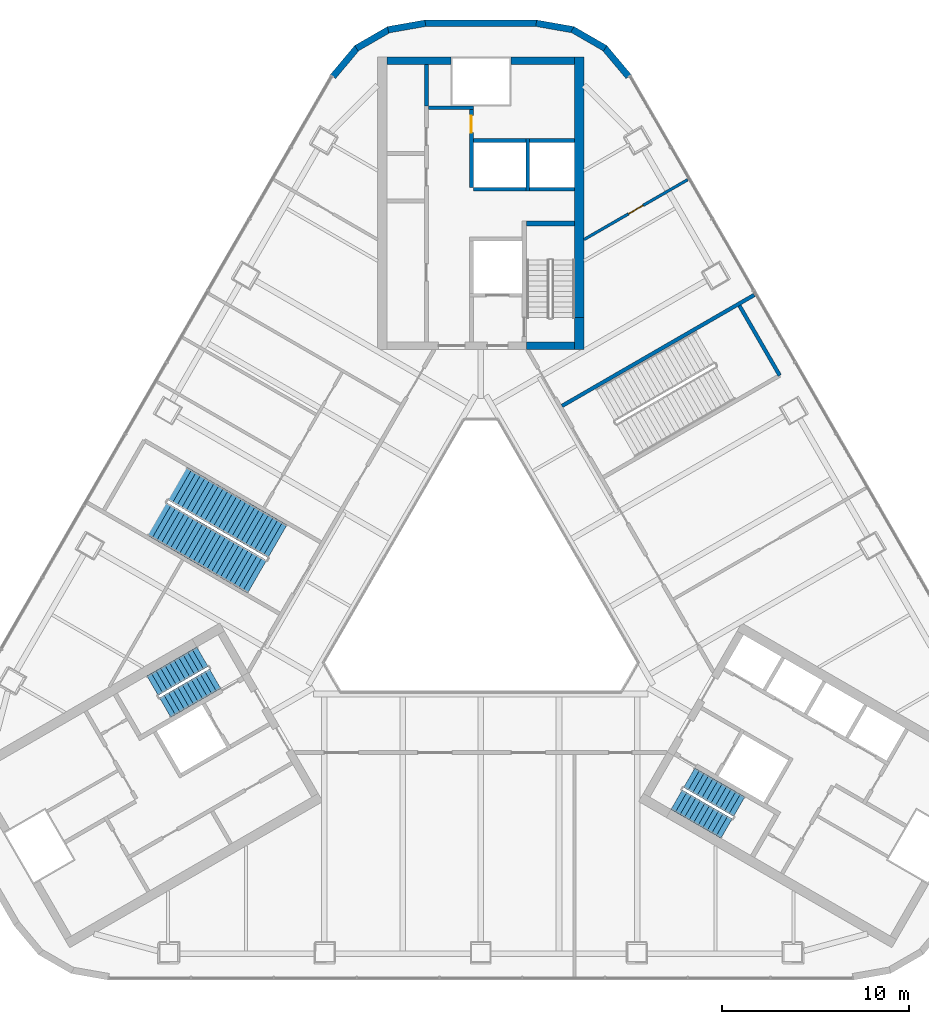
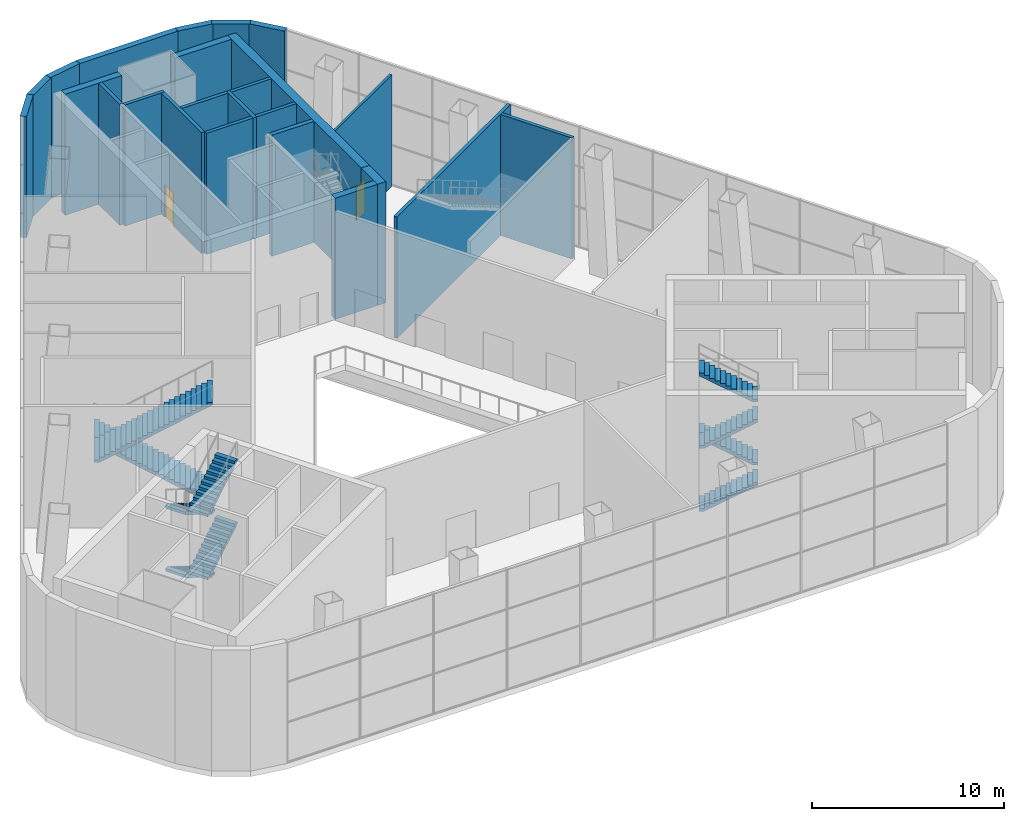
# One storey, part 12 of 16: 24 walls, 10 stair flights, 2 doors, 2 openings, 3 elements without a shape of their own.
"""IFC4 building model written with IfcOpenShell, lengths in metres."""

from ifc_helpers import new_model, si_unit, direction, frame, frame_2d, origin, place, context, subcontext, project, spatial, polyline, rectangle, outline, extrude, material, layer, layer_set, type_object, element, fill, aggregate, save


model = new_model("IFC4")

# Units and contexts
model_context = context("Model", 3, precision=1e-05, world=origin(), true_north=direction((0.0, 1.0)))
body_context = subcontext(model_context, "Body", "Model", "MODEL_VIEW")
ifc_project = project(units=[si_unit("LENGTHUNIT", "METRE"), si_unit("AREAUNIT", "SQUARE_METRE"), si_unit("VOLUMEUNIT", "CUBIC_METRE"), si_unit("PLANEANGLEUNIT", "RADIAN"), si_unit("MASSUNIT", "GRAM", prefix="KILO")], contexts=[model_context])

# Site, building, storey
site_placement = place(None, origin())
site = spatial("IfcSite", under=ifc_project, at=site_placement, CompositionType="ELEMENT")
building_placement = place(site_placement, origin())
building = spatial("IfcBuilding", under=site, at=building_placement, Name="Apuvela Tower Hotel", CompositionType="ELEMENT")
storey_placement = place(building_placement, frame((0.0, 0.0, 15.5)))
storey = spatial("IfcBuildingStorey", under=building, at=storey_placement, Name="L02", CompositionType="ELEMENT", Elevation=15.5)

# Walls
ifc_material_1 = material(Name="Concrete C50/60", Category="concrete")
ifc_layer_1 = layer(ifc_material_1, 0.39990234375)
ifc_layer_set_1 = layer_set([ifc_layer_1], Name="COR-WALL-CORE-400")
wall_type_1 = type_object("IfcWallType", Name="COR-WALL-CORE-400", PredefinedType="SHEAR", material=ifc_layer_set_1)
for number, where, z_axis, x_axis, name in (
    (1, (-1.60009765625, 28.300048828125, 0.0), (0.0, 0.0, 1.0), (-1.0, 0.0, 0.0), "Core wall N"),
    (2, (5.0, 28.300048828125, 0.0), (0.0, 0.0, 1.0), (-1.0, 0.0, 0.0), "Core wall N"),
):
    element("IfcWall", number, at=place(storey_placement, frame(where, z_axis=z_axis, x_axis=x_axis)), inside=storey, type_object=wall_type_1, Name=name, PredefinedType="SHEAR", context=body_context, shape_type="SweptSolid", body=[
        extrude(rectangle(XDim=3.39990234375, YDim=0.39990234375, at=frame_2d((1.699951171875, 0.0))), origin(), (0.0, 0.0, 1.0), 7.699951171875),
    ])
wall_1_placement = place(storey_placement, frame((5.0, 13.10009765625, 0.0), z_axis=(0.0, 0.0, 1.0), x_axis=(-1.0, 0.0, 0.0)))
element("IfcWall", 3, at=wall_1_placement, inside=storey, type_object=wall_type_1, Name="Core wall N", PredefinedType="SHEAR", context=body_context, shape_type="SweptSolid", body=[
    extrude(rectangle(XDim=2.550048828125, YDim=0.39990234375, at=frame_2d((1.27490234375, 0.0))), origin(), (0.0, 0.0, 1.0), 7.699951171875),
])
ifc_layer_2 = layer(ifc_material_1, 0.5)
ifc_layer_set_2 = layer_set([ifc_layer_2], Name="COR-WALL-CORE-500")
wall_type_2 = type_object("IfcWallType", Name="COR-WALL-CORE-500", PredefinedType="SHEAR", material=ifc_layer_set_2)
wall_2_placement = place(storey_placement, frame((5.25, 12.89990234375, 0.0), z_axis=(0.0, 0.0, 1.0), x_axis=(0.0, 1.0, 0.0)))
element("IfcWall", 4, at=wall_2_placement, inside=storey, type_object=wall_type_2, Name="Core wall N", PredefinedType="SHEAR", context=body_context, shape_type="SweptSolid", body=[
    extrude(rectangle(XDim=1.7060546875, YDim=0.5, at=frame_2d((0.85302734375, 0.0))), origin(), (0.0, 0.0, 1.0), 7.699951171875),
])
wall_3_placement = place(storey_placement, frame((5.25, 14.60595703125, 0.0), z_axis=(0.0, 0.0, 1.0), x_axis=(0.0, 1.0, 0.0)))
element("IfcWall", 5, at=wall_3_placement, inside=storey, type_object=wall_type_2, Name="Core wall N", PredefinedType="SHEAR", context=body_context, shape_type="SweptSolid", body=[
    extrude(rectangle(XDim=13.89404296875, YDim=0.5, at=frame_2d((6.947021484375, 0.0))), origin(), (0.0, 0.0, 1.0), 7.699951171875),
])
ifc_material_2 = material(Name="Blockwork 200 mm plastered", Category="masonry")
ifc_layer_3 = layer(ifc_material_2, 0.199951171875)
ifc_layer_set_3 = layer_set([ifc_layer_3], Name="COR-WALL-PART-200")
wall_type_3 = type_object("IfcWallType", Name="COR-WALL-PART-200", PredefinedType="PARTITIONING", material=ifc_layer_set_3)
wall_4_placement = place(storey_placement, frame((5.0, 21.449951171875, 0.0), z_axis=(0.0, 0.0, 1.0), x_axis=(-1.0, 0.0, 0.0)))
element("IfcWall", 6, at=wall_4_placement, inside=storey, type_object=wall_type_3, Name="Partition N", PredefinedType="PARTITIONING", context=body_context, shape_type="SweptSolid", body=[
    extrude(rectangle(XDim=2.39990234375, YDim=0.199951171875, at=frame_2d((1.199951171875, 0.0))), origin(), (0.0, 0.0, 1.0), 7.699951171875),
])
wall_5_placement = place(storey_placement, frame((2.39990234375, 21.449951171875, 0.0), z_axis=(0.0, 0.0, 1.0), x_axis=(-1.0, 0.0, 0.0)))
element("IfcWall", 7, at=wall_5_placement, inside=storey, type_object=wall_type_3, Name="Partition N", PredefinedType="PARTITIONING", context=body_context, shape_type="SweptSolid", body=[
    extrude(rectangle(XDim=2.7998046875, YDim=0.199951171875, at=frame_2d((1.39990234375, 0.0))), origin(), (0.0, 0.0, 1.0), 7.699951171875),
])
ifc_layer_4 = layer(ifc_material_1, 0.199951171875)
ifc_layer_set_4 = layer_set([ifc_layer_4], Name="COR-WALL-SHAFT-200")
wall_type_4 = type_object("IfcWallType", Name="COR-WALL-SHAFT-200", PredefinedType="SHEAR", material=ifc_layer_set_4)
wall_6_placement = place(storey_placement, frame((-0.39990234375, 25.800048828125, 0.0), z_axis=(0.0, 0.0, 1.0), x_axis=(-1.0, 0.0, 0.0)))
element("IfcWall", 8, at=wall_6_placement, inside=storey, type_object=wall_type_4, Name="Shaft wall N", PredefinedType="SHEAR", context=body_context, shape_type="SweptSolid", body=[
    extrude(rectangle(XDim=2.400146484375, YDim=0.199951171875, at=frame_2d((1.2001953125, 0.0))), origin(), (0.0, 0.0, 1.0), 7.699951171875),
])

# Wall, opening, door
wall_7_placement = place(storey_placement, frame((-0.5, 21.550048828125, 0.0), z_axis=(0.0, 0.0, 1.0), x_axis=(0.0, 1.0, 0.0)))
wall_7 = element("IfcWall", 9, at=wall_7_placement, inside=storey, type_object=wall_type_4, Name="Shaft wall N", PredefinedType="SHEAR", context=body_context, shape_type="SweptSolid", body=[
    extrude(rectangle(XDim=4.14990234375, YDim=0.199951171875, at=frame_2d((2.074951171875, 0.0))), origin(), (0.0, 0.0, 1.0), 7.699951171875),
])
opening_1_placement = place(wall_7_placement, frame((2.925048828125, 0.0, 0.0)))
opening_1 = element("IfcOpeningElement", 10, at=opening_1_placement, cuts=wall_7, Name="Opening N-RSP", PredefinedType="OPENING", context=body_context, shape_type="SweptSolid", body=[
    extrude(rectangle(XDim=0.89990234375, YDim=2.10009765625, at=frame_2d((0.449951171875, 1.050048828125))), frame((0.0, 0.10986328125, 0.0), z_axis=(0.0, -1.0, 0.0), x_axis=(1.0, 0.0, 0.0)), (0.0, 0.0, 1.0), 0.219970703125),
])
ifc_material_3 = material(Name="Steel fire door, powder coated", Category="steel")
door_type_1 = type_object("IfcDoorType", Name="COR-DR-900", OperationType="NOTDEFINED", PredefinedType="DOOR", material=ifc_material_3)
door_1_placement = place(opening_1_placement, frame((0.89990234375, 0.0, 0.0), z_axis=(0.0, 0.0, 1.0), x_axis=(-1.0, 0.0, 0.0)))
door_1 = element("IfcDoor", 11, at=door_1_placement, inside=storey, type_object=door_type_1, Name="Store door N-RSP", OperationType="SINGLE_SWING_LEFT", OverallHeight=2.10009765625, OverallWidth=0.89990234375, PredefinedType="DOOR", context=body_context, shape_type="SweptSolid", body=[
    extrude(rectangle(XDim=0.89990234375, YDim=2.10009765625, at=frame_2d((0.449951171875, 1.050048828125))), frame((0.0, 0.02490234375, 0.0), z_axis=(0.0, -1.0, 0.0), x_axis=(1.0, 0.0, 0.0)), (0.0, 0.0, 1.0), 0.050048828125),
])
fill(opening_1, door_1)

# Walls
wall_8_placement = place(storey_placement, frame((-2.89990234375, 25.89990234375, 0.0), z_axis=(0.0, 0.0, 1.0), x_axis=(0.0, 1.0, 0.0)))
element("IfcWall", 12, at=wall_8_placement, inside=storey, type_object=wall_type_4, Name="Shaft wall N", PredefinedType="SHEAR", context=body_context, shape_type="SweptSolid", body=[
    extrude(rectangle(XDim=2.2001953125, YDim=0.199951171875, at=frame_2d((1.10009765625, 0.0))), origin(), (0.0, 0.0, 1.0), 7.699951171875),
])
wall_9_placement = place(storey_placement, frame((2.5, 21.35009765625, 0.0), z_axis=(0.0, 0.0, 1.0), x_axis=(0.0, 1.0, 0.0)))
element("IfcWall", 13, at=wall_9_placement, inside=storey, type_object=wall_type_4, Name="Shaft wall N", PredefinedType="SHEAR", context=body_context, shape_type="SweptSolid", body=[
    extrude(rectangle(XDim=2.7998046875, YDim=0.199951171875, at=frame_2d((1.39990234375, 0.0))), origin(), (0.0, 0.0, 1.0), 7.699951171875),
])
wall_10_placement = place(storey_placement, frame((5.0, 24.050048828125, 0.0), z_axis=(0.0, 0.0, 1.0), x_axis=(-1.0, 0.0, 0.0)))
element("IfcWall", 14, at=wall_10_placement, inside=storey, type_object=wall_type_4, Name="Shaft wall N", PredefinedType="SHEAR", context=body_context, shape_type="SweptSolid", body=[
    extrude(rectangle(XDim=2.39990234375, YDim=0.199951171875, at=frame_2d((1.199951171875, 0.0))), origin(), (0.0, 0.0, 1.0), 7.699951171875),
])
wall_11_placement = place(storey_placement, frame((2.39990234375, 24.050048828125, 0.0), z_axis=(0.0, 0.0, 1.0), x_axis=(-1.0, 0.0, 0.0)))
element("IfcWall", 15, at=wall_11_placement, inside=storey, type_object=wall_type_4, Name="Shaft wall N", PredefinedType="SHEAR", context=body_context, shape_type="SweptSolid", body=[
    extrude(rectangle(XDim=2.7998046875, YDim=0.199951171875, at=frame_2d((1.39990234375, 0.0))), origin(), (0.0, 0.0, 1.0), 7.699951171875),
])
ifc_layer_5 = layer(ifc_material_1, 0.25)
ifc_layer_set_5 = layer_set([ifc_layer_5], Name="COR-WALL-STAIR-250")
wall_type_5 = type_object("IfcWallType", Name="COR-WALL-STAIR-250", PredefinedType="SHEAR", material=ifc_layer_set_5)
wall_12_placement = place(storey_placement, frame((5.0, 19.625, 0.0), z_axis=(0.0, 0.0, 1.0), x_axis=(-1.0, 0.0, 0.0)))
element("IfcWall", 16, at=wall_12_placement, inside=storey, type_object=wall_type_5, Name="Stair wall N", PredefinedType="SHEAR", context=body_context, shape_type="SweptSolid", body=[
    extrude(rectangle(XDim=2.550048828125, YDim=0.25, at=frame_2d((1.27490234375, 0.0))), origin(), (0.0, 0.0, 1.0), 7.699951171875),
])
ifc_material_4 = material(Name="Concrete C40/50, dark pigmented precast panel", Category="concrete")
ifc_layer_6 = layer(ifc_material_4, 0.35009765625)
ifc_layer_set_6 = layer_set([ifc_layer_6], Name="ENV-WALL-350")
wall_type_6 = type_object("IfcWallType", Name="ENV-WALL-350", PredefinedType="SOLIDWALL", material=ifc_layer_set_6)
wall_13_placement = place(storey_placement, frame((6.6337890625, 28.96875, 0.0), z_axis=(0.0, 0.0, 1.0), x_axis=(-0.866022320763, 0.500005339912, 0.0)))
element("IfcWall", 17, at=wall_13_placement, inside=storey, type_object=wall_type_6, Name="External wall L02-01", PredefinedType="SOLIDWALL", context=body_context, shape_type="SweptSolid", body=[
    extrude(rectangle(XDim=2.01708984375, YDim=0.35009765625, at=frame_2d((1.008544921875, 0.0))), origin(), (0.0, 0.0, 1.0), 7.699951171875),
])
wall_14_placement = place(storey_placement, frame((4.944091796875, 29.95654296875, 0.0), z_axis=(0.0, 0.0, 1.0), x_axis=(-0.98480304703, 0.173674864506, 0.0)))
element("IfcWall", 18, at=wall_14_placement, inside=storey, type_object=wall_type_6, Name="External wall L02-02", PredefinedType="SOLIDWALL", context=body_context, shape_type="SweptSolid", body=[
    extrude(rectangle(XDim=2.017333984375, YDim=0.35009765625, at=frame_2d((1.0087890625, 0.0))), origin(), (0.0, 0.0, 1.0), 7.699951171875),
])
wall_15_placement = place(storey_placement, frame((2.98779296875, 30.30419921875, 0.0), z_axis=(0.0, 0.0, 1.0), x_axis=(-1.0, 0.0, 0.0)))
element("IfcWall", 19, at=wall_15_placement, inside=storey, type_object=wall_type_6, Name="External wall L02-03", PredefinedType="SOLIDWALL", context=body_context, shape_type="SweptSolid", body=[
    extrude(rectangle(XDim=5.9755859375, YDim=0.35009765625, at=frame_2d((2.98779296875, 0.0))), origin(), (0.0, 0.0, 1.0), 7.699951171875),
])
wall_16_placement = place(storey_placement, frame((-2.95751953125, 30.306884765625, 0.0), z_axis=(0.0, 0.0, 1.0), x_axis=(-0.98480304703, -0.173674864506, 0.0)))
element("IfcWall", 20, at=wall_16_placement, inside=storey, type_object=wall_type_6, Name="External wall L02-04", PredefinedType="SOLIDWALL", context=body_context, shape_type="SweptSolid", body=[
    extrude(rectangle(XDim=2.017333984375, YDim=0.35009765625, at=frame_2d((1.0087890625, 0.0))), origin(), (0.0, 0.0, 1.0), 7.699951171875),
])
wall_17_placement = place(storey_placement, frame((-4.886962890625, 29.977294921875, 0.0), z_axis=(0.0, 0.0, 1.0), x_axis=(-0.866022320763, -0.500005339912, 0.0)))
element("IfcWall", 21, at=wall_17_placement, inside=storey, type_object=wall_type_6, Name="External wall L02-05", PredefinedType="SOLIDWALL", context=body_context, shape_type="SweptSolid", body=[
    extrude(rectangle(XDim=2.01708984375, YDim=0.35009765625, at=frame_2d((1.008544921875, 0.0))), origin(), (0.0, 0.0, 1.0), 7.699951171875),
])
for number, where, z_axis, x_axis, name in (
    (22, (-6.58740234375, 29.0078125, 0.0), (0.0, 0.0, 1.0), (-0.642752052196, -0.76607427799, 0.0), "External wall L02-06"),
    (23, (7.884033203125, 27.46240234375, 0.0), (0.0, 0.0, 1.0), (-0.642752052196, 0.76607427799, 0.0), "External wall L02-24"),
):
    element("IfcWall", number, at=place(storey_placement, frame(where, z_axis=z_axis, x_axis=x_axis)), inside=storey, type_object=wall_type_6, Name=name, PredefinedType="SOLIDWALL", context=body_context, shape_type="SweptSolid", body=[
        extrude(rectangle(XDim=2.017333984375, YDim=0.35009765625, at=frame_2d((1.0087890625, 0.0))), origin(), (0.0, 0.0, 1.0), 7.699951171875),
    ])

# Wall, opening, door
ifc_material_5 = material(Name="Gypsum board partition on steel stud", Category="steel")
ifc_layer_7 = layer(ifc_material_5, 0.14990234375)
ifc_layer_set_7 = layer_set([ifc_layer_7], Name="SPC-WALL-PARTITION")
wall_type_7 = type_object("IfcWallType", Name="SPC-WALL-PARTITION", PredefinedType="PARTITIONING", material=ifc_layer_set_7)
wall_18_placement = place(storey_placement, frame((11.03076171875, 21.95703125, 0.0), z_axis=(0.0, 0.0, 1.0), x_axis=(-0.866030253878, -0.499991599297, 0.0)))
wall_18 = element("IfcWall", 24, at=wall_18_placement, inside=storey, type_object=wall_type_7, Name="Wall L02-NE-P05", PredefinedType="PARTITIONING", context=body_context, shape_type="SweptSolid", body=[
    extrude(rectangle(XDim=6.38623046875, YDim=0.14990234375, at=frame_2d((3.193115234375, 0.0))), origin(), (0.0, 0.0, 1.0), 7.10009765625),
])
opening_2_placement = place(wall_18_placement, frame((2.7431640625, 0.0, 0.0)))
opening_2 = element("IfcOpeningElement", 25, at=opening_2_placement, cuts=wall_18, Name="Opening L02-S06", PredefinedType="OPENING", context=body_context, shape_type="SweptSolid", body=[
    extrude(rectangle(XDim=0.89990234375, YDim=2.10009765625, at=frame_2d((0.449951171875, 1.050048828125))), frame((0.0, 0.0849609375, 0.0), z_axis=(0.0, -1.0, 0.0), x_axis=(1.0, 0.0, 0.0)), (0.0, 0.0, 1.0), 0.169921875),
])
ifc_material_6 = material(Name="Hardwood veneer door leaf", Category="wood")
door_type_2 = type_object("IfcDoorType", Name="SPC-DOOR-900", OperationType="NOTDEFINED", PredefinedType="DOOR", material=ifc_material_6)
door_2_placement = place(opening_2_placement, frame((0.89990234375, 0.0, 0.0), z_axis=(0.0, 0.0, 1.0), x_axis=(-1.0, 0.0, 0.0)))
door_2 = element("IfcDoor", 26, at=door_2_placement, inside=storey, type_object=door_type_2, Name="L02-S06", OperationType="SINGLE_SWING_RIGHT", OverallHeight=2.10009765625, OverallWidth=0.89990234375, PredefinedType="DOOR", context=body_context, shape_type="SweptSolid", body=[
    extrude(rectangle(XDim=0.89990234375, YDim=2.10009765625, at=frame_2d((0.449951171875, 1.050048828125))), frame((0.0, 0.02490234375, 0.0), z_axis=(0.0, -1.0, 0.0), x_axis=(1.0, 0.0, 0.0)), (0.0, 0.0, 1.0), 0.050048828125),
])
fill(opening_2, door_2)

# Walls
ifc_material_7 = material(Name="Concrete C40/50", Category="concrete")
ifc_layer_8 = layer(ifc_material_7, 0.199951171875)
ifc_layer_set_8 = layer_set([ifc_layer_8], Name="SPC-WALL-STAIR")
wall_type_8 = type_object("IfcWallType", Name="SPC-WALL-STAIR", PredefinedType="SOLIDWALL", material=ifc_layer_set_8)
wall_19_placement = place(storey_placement, frame((15.947998046875, 11.51708984375, 0.0), z_axis=(0.0, 0.0, 1.0), x_axis=(-0.499986217557, 0.866033360935, 0.0)))
element("IfcWall", 27, at=wall_19_placement, inside=storey, type_object=wall_type_8, Name="Wall L02-NE-P01", PredefinedType="SOLIDWALL", context=body_context, shape_type="SweptSolid", body=[
    extrude(rectangle(XDim=4.2998046875, YDim=0.199951171875, at=frame_2d((2.14990234375, 0.0))), origin(), (0.0, 0.0, 1.0), 7.699951171875),
])
wall_20_placement = place(storey_placement, frame((14.580810546875, 15.80810546875, 0.0), z_axis=(0.0, 0.0, 1.0), x_axis=(-0.866032672044, -0.499987410794, 0.0)))
element("IfcWall", 28, at=wall_20_placement, inside=storey, type_object=wall_type_8, Name="Wall L02-NE-P04", PredefinedType="SOLIDWALL", context=body_context, shape_type="SweptSolid", body=[
    extrude(rectangle(XDim=11.831298828125, YDim=0.199951171875, at=frame_2d((5.91552734375, 0.0))), origin(), (0.0, 0.0, 1.0), 7.699951171875),
])

# Stair, stair flights
stair_type_1 = type_object("IfcStairType", Name="COR-STAIR-48R", PredefinedType="HALF_TURN_STAIR", material=ifc_material_1)
stair_1_placement = place(storey_placement, origin())
stair_1 = element("IfcStair", 29, at=stair_1_placement, inside=storey, type_object=stair_type_1, Name="L02 Exit stair ST2", PredefinedType="HALF_TURN_STAIR")
stair_flight_type_1 = type_object("IfcStairFlightType", Name="COR-FLIGHT-12R", PredefinedType="STRAIGHT", material=ifc_material_1)
stair_flight_1_placement = place(storey_placement, frame((-14.843994140625, -3.489501953125, 0.0), z_axis=(0.0, 0.0, 1.0), x_axis=(-0.866025403784, -0.5, 0.0)))
stair_flight_1 = element("IfcStairFlight", 30, at=stair_flight_1_placement, type_object=stair_flight_type_1, Name="ST2 flight 1", NumberOfRisers=12, NumberOfTreads=11, PredefinedType="STRAIGHT", RiserHeight=0.166666667, TreadLength=0.28, context=body_context, shape_type="SweptSolid", body=[
    extrude(outline(polyline([(0.0, 0.0), (0.0, 0.166748046875), (0.280029296875, 0.166748046875), (0.280029296875, 0.333251953125), (0.56005859375, 0.333251953125), (0.56005859375, 0.5), (0.840087890625, 0.5), (0.840087890625, 0.666748046875), (1.1201171875, 0.666748046875), (1.1201171875, 0.833251953125), (1.39990234375, 0.833251953125), (1.39990234375, 1.0), (1.679931640625, 1.0), (1.679931640625, 1.166748046875), (1.9599609375, 1.166748046875), (1.9599609375, 1.333251953125), (2.239990234375, 1.333251953125), (2.239990234375, 1.5), (2.52001953125, 1.5), (2.52001953125, 1.666748046875), (2.800048828125, 1.666748046875), (2.800048828125, 1.833251953125), (3.080078125, 1.833251953125), (3.080078125, 2.0), (3.080078125, 1.658935546875), (0.29296875, 0.0), (0.0, 0.0)])), frame((0.0, 0.60009765625, 0.0), z_axis=(0.0, -1.0, 0.0), x_axis=(1.0, 0.0, 0.0)), (0.0, 0.0, 1.0), 1.199951171875),
])
stair_flight_2_placement = place(storey_placement, frame((-16.83642578125, -6.19873046875, 2.0), z_axis=(0.0, 0.0, 1.0), x_axis=(0.866025403784, 0.5, 0.0)))
stair_flight_2 = element("IfcStairFlight", 31, at=stair_flight_2_placement, type_object=stair_flight_type_1, Name="ST2 flight 2", NumberOfRisers=12, NumberOfTreads=11, PredefinedType="STRAIGHT", RiserHeight=0.166666667, TreadLength=0.28, context=body_context, shape_type="SweptSolid", body=[
    extrude(outline(polyline([(0.0, 0.0), (0.0, 0.166748046875), (0.280029296875, 0.166748046875), (0.280029296875, 0.333251953125), (0.56005859375, 0.333251953125), (0.56005859375, 0.5), (0.840087890625, 0.5), (0.840087890625, 0.666748046875), (1.1201171875, 0.666748046875), (1.1201171875, 0.833251953125), (1.39990234375, 0.833251953125), (1.39990234375, 1.0), (1.679931640625, 1.0), (1.679931640625, 1.166748046875), (1.9599609375, 1.166748046875), (1.9599609375, 1.333251953125), (2.239990234375, 1.333251953125), (2.239990234375, 1.5), (2.52001953125, 1.5), (2.52001953125, 1.666748046875), (2.800048828125, 1.666748046875), (2.800048828125, 1.833251953125), (3.080078125, 1.833251953125), (3.080078125, 2.0), (3.080078125, 1.658935546875), (0.29296875, 0.0), (0.0, 0.0)])), frame((0.0, 0.60009765625, 0.0), z_axis=(0.0, -1.0, 0.0), x_axis=(1.0, 0.0, 0.0)), (0.0, 0.0, 1.0), 1.199951171875),
])
stair_flight_3_placement = place(storey_placement, frame((-14.843994140625, -3.489501953125, 4.0), z_axis=(0.0, 0.0, 1.0), x_axis=(-0.866025403784, -0.5, 0.0)))
stair_flight_3 = element("IfcStairFlight", 32, at=stair_flight_3_placement, type_object=stair_flight_type_1, Name="ST2 flight 3", NumberOfRisers=12, NumberOfTreads=11, PredefinedType="STRAIGHT", RiserHeight=0.166666667, TreadLength=0.28, context=body_context, shape_type="SweptSolid", body=[
    extrude(outline(polyline([(0.0, 0.0), (0.0, 0.166748046875), (0.280029296875, 0.166748046875), (0.280029296875, 0.333251953125), (0.56005859375, 0.333251953125), (0.56005859375, 0.5), (0.840087890625, 0.5), (0.840087890625, 0.666748046875), (1.1201171875, 0.666748046875), (1.1201171875, 0.833251953125), (1.39990234375, 0.833251953125), (1.39990234375, 1.0), (1.679931640625, 1.0), (1.679931640625, 1.166748046875), (1.9599609375, 1.166748046875), (1.9599609375, 1.333251953125), (2.239990234375, 1.333251953125), (2.239990234375, 1.5), (2.52001953125, 1.5), (2.52001953125, 1.666748046875), (2.800048828125, 1.666748046875), (2.800048828125, 1.833251953125), (3.080078125, 1.833251953125), (3.080078125, 2.0), (3.080078125, 1.658935546875), (0.29296875, 0.0), (0.0, 0.0)])), frame((0.0, 0.60009765625, 0.0), z_axis=(0.0, -1.0, 0.0), x_axis=(1.0, 0.0, 0.0)), (0.0, 0.0, 1.0), 1.199951171875),
])
stair_flight_4_placement = place(storey_placement, frame((-16.83642578125, -6.19873046875, 6.0), z_axis=(0.0, 0.0, 1.0), x_axis=(0.866025403784, 0.5, 0.0)))
stair_flight_4 = element("IfcStairFlight", 33, at=stair_flight_4_placement, type_object=stair_flight_type_1, Name="ST2 flight 4", NumberOfRisers=12, NumberOfTreads=11, PredefinedType="STRAIGHT", RiserHeight=0.166666667, TreadLength=0.28, context=body_context, shape_type="SweptSolid", body=[
    extrude(outline(polyline([(0.0, 0.0), (0.0, 0.166748046875), (0.280029296875, 0.166748046875), (0.280029296875, 0.333251953125), (0.56005859375, 0.333251953125), (0.56005859375, 0.5), (0.840087890625, 0.5), (0.840087890625, 0.666748046875), (1.1201171875, 0.666748046875), (1.1201171875, 0.833251953125), (1.39990234375, 0.833251953125), (1.39990234375, 1.0), (1.679931640625, 1.0), (1.679931640625, 1.166748046875), (1.9599609375, 1.166748046875), (1.9599609375, 1.333251953125), (2.239990234375, 1.333251953125), (2.239990234375, 1.5), (2.52001953125, 1.5), (2.52001953125, 1.666748046875), (2.800048828125, 1.666748046875), (2.800048828125, 1.833251953125), (3.080078125, 1.833251953125), (3.080078125, 2.0), (3.080078125, 1.658935546875), (0.29296875, 0.0), (0.0, 0.0)])), frame((0.0, 0.60009765625, 0.0), z_axis=(0.0, -1.0, 0.0), x_axis=(1.0, 0.0, 0.0)), (0.0, 0.0, 1.0), 1.199951171875),
])
aggregate(stair_1, [stair_flight_1, stair_flight_2, stair_flight_3, stair_flight_4])

stair_2_placement = place(storey_placement, origin())
stair_2 = element("IfcStair", 34, at=stair_2_placement, inside=storey, type_object=stair_type_1, Name="L02 Exit stair ST3", PredefinedType="HALF_TURN_STAIR")
stair_flight_5_placement = place(storey_placement, frame((10.444091796875, -11.110595703125, 0.0), z_axis=(0.0, 0.0, 1.0), x_axis=(0.866025403784, -0.5, 0.0)))
stair_flight_5 = element("IfcStairFlight", 35, at=stair_flight_5_placement, type_object=stair_flight_type_1, Name="ST3 flight 1", NumberOfRisers=12, NumberOfTreads=11, PredefinedType="STRAIGHT", RiserHeight=0.166666667, TreadLength=0.28, context=body_context, shape_type="SweptSolid", body=[
    extrude(outline(polyline([(0.0, 0.0), (0.0, 0.166748046875), (0.280029296875, 0.166748046875), (0.280029296875, 0.333251953125), (0.56005859375, 0.333251953125), (0.56005859375, 0.5), (0.840087890625, 0.5), (0.840087890625, 0.666748046875), (1.1201171875, 0.666748046875), (1.1201171875, 0.833251953125), (1.39990234375, 0.833251953125), (1.39990234375, 1.0), (1.679931640625, 1.0), (1.679931640625, 1.166748046875), (1.9599609375, 1.166748046875), (1.9599609375, 1.333251953125), (2.239990234375, 1.333251953125), (2.239990234375, 1.5), (2.52001953125, 1.5), (2.52001953125, 1.666748046875), (2.800048828125, 1.666748046875), (2.800048828125, 1.833251953125), (3.080078125, 1.833251953125), (3.080078125, 2.0), (3.080078125, 1.658935546875), (0.29296875, 0.0), (0.0, 0.0)])), frame((0.0, 0.60009765625, 0.0), z_axis=(0.0, -1.0, 0.0), x_axis=(1.0, 0.0, 0.0)), (0.0, 0.0, 1.0), 1.199951171875),
])
stair_flight_6_placement = place(storey_placement, frame((13.786376953125, -11.4814453125, 2.0), z_axis=(0.0, 0.0, 1.0), x_axis=(-0.866025403784, 0.5, 0.0)))
stair_flight_6 = element("IfcStairFlight", 36, at=stair_flight_6_placement, type_object=stair_flight_type_1, Name="ST3 flight 2", NumberOfRisers=12, NumberOfTreads=11, PredefinedType="STRAIGHT", RiserHeight=0.166666667, TreadLength=0.28, context=body_context, shape_type="SweptSolid", body=[
    extrude(outline(polyline([(0.0, 0.0), (0.0, 0.166748046875), (0.280029296875, 0.166748046875), (0.280029296875, 0.333251953125), (0.56005859375, 0.333251953125), (0.56005859375, 0.5), (0.840087890625, 0.5), (0.840087890625, 0.666748046875), (1.1201171875, 0.666748046875), (1.1201171875, 0.833251953125), (1.39990234375, 0.833251953125), (1.39990234375, 1.0), (1.679931640625, 1.0), (1.679931640625, 1.166748046875), (1.9599609375, 1.166748046875), (1.9599609375, 1.333251953125), (2.239990234375, 1.333251953125), (2.239990234375, 1.5), (2.52001953125, 1.5), (2.52001953125, 1.666748046875), (2.800048828125, 1.666748046875), (2.800048828125, 1.833251953125), (3.080078125, 1.833251953125), (3.080078125, 2.0), (3.080078125, 1.658935546875), (0.29296875, 0.0), (0.0, 0.0)])), frame((0.0, 0.60009765625, 0.0), z_axis=(0.0, -1.0, 0.0), x_axis=(1.0, 0.0, 0.0)), (0.0, 0.0, 1.0), 1.199951171875),
])
stair_flight_7_placement = place(storey_placement, frame((10.444091796875, -11.110595703125, 4.0), z_axis=(0.0, 0.0, 1.0), x_axis=(0.866025403784, -0.5, 0.0)))
stair_flight_7 = element("IfcStairFlight", 37, at=stair_flight_7_placement, type_object=stair_flight_type_1, Name="ST3 flight 3", NumberOfRisers=12, NumberOfTreads=11, PredefinedType="STRAIGHT", RiserHeight=0.166666667, TreadLength=0.28, context=body_context, shape_type="SweptSolid", body=[
    extrude(outline(polyline([(0.0, 0.0), (0.0, 0.166748046875), (0.280029296875, 0.166748046875), (0.280029296875, 0.333251953125), (0.56005859375, 0.333251953125), (0.56005859375, 0.5), (0.840087890625, 0.5), (0.840087890625, 0.666748046875), (1.1201171875, 0.666748046875), (1.1201171875, 0.833251953125), (1.39990234375, 0.833251953125), (1.39990234375, 1.0), (1.679931640625, 1.0), (1.679931640625, 1.166748046875), (1.9599609375, 1.166748046875), (1.9599609375, 1.333251953125), (2.239990234375, 1.333251953125), (2.239990234375, 1.5), (2.52001953125, 1.5), (2.52001953125, 1.666748046875), (2.800048828125, 1.666748046875), (2.800048828125, 1.833251953125), (3.080078125, 1.833251953125), (3.080078125, 2.0), (3.080078125, 1.658935546875), (0.29296875, 0.0), (0.0, 0.0)])), frame((0.0, 0.60009765625, 0.0), z_axis=(0.0, -1.0, 0.0), x_axis=(1.0, 0.0, 0.0)), (0.0, 0.0, 1.0), 1.199951171875),
])
stair_flight_8_placement = place(storey_placement, frame((13.786376953125, -11.4814453125, 6.0), z_axis=(0.0, 0.0, 1.0), x_axis=(-0.866025403784, 0.5, 0.0)))
stair_flight_8 = element("IfcStairFlight", 38, at=stair_flight_8_placement, type_object=stair_flight_type_1, Name="ST3 flight 4", NumberOfRisers=12, NumberOfTreads=11, PredefinedType="STRAIGHT", RiserHeight=0.166666667, TreadLength=0.28, context=body_context, shape_type="SweptSolid", body=[
    extrude(outline(polyline([(0.0, 0.0), (0.0, 0.166748046875), (0.280029296875, 0.166748046875), (0.280029296875, 0.333251953125), (0.56005859375, 0.333251953125), (0.56005859375, 0.5), (0.840087890625, 0.5), (0.840087890625, 0.666748046875), (1.1201171875, 0.666748046875), (1.1201171875, 0.833251953125), (1.39990234375, 0.833251953125), (1.39990234375, 1.0), (1.679931640625, 1.0), (1.679931640625, 1.166748046875), (1.9599609375, 1.166748046875), (1.9599609375, 1.333251953125), (2.239990234375, 1.333251953125), (2.239990234375, 1.5), (2.52001953125, 1.5), (2.52001953125, 1.666748046875), (2.800048828125, 1.666748046875), (2.800048828125, 1.833251953125), (3.080078125, 1.833251953125), (3.080078125, 2.0), (3.080078125, 1.658935546875), (0.29296875, 0.0), (0.0, 0.0)])), frame((0.0, 0.60009765625, 0.0), z_axis=(0.0, -1.0, 0.0), x_axis=(1.0, 0.0, 0.0)), (0.0, 0.0, 1.0), 1.199951171875),
])
aggregate(stair_2, [stair_flight_5, stair_flight_6, stair_flight_7, stair_flight_8])

stair_type_2 = type_object("IfcStairType", Name="SPC-STAIR-PS", PredefinedType="HALF_TURN_STAIR", material=ifc_material_7)
stair_3_placement = place(storey_placement, origin())
stair_3 = element("IfcStair", 39, at=stair_3_placement, inside=storey, type_object=stair_type_2, Name="L02 Protected exit stair PS2", PredefinedType="HALF_TURN_STAIR")
stair_flight_type_2 = type_object("IfcStairFlightType", Name="SPC-FLIGHT-PS", PredefinedType="STRAIGHT", material=ifc_material_7)
stair_flight_9_placement = place(storey_placement, frame((-10.844482421875, 2.6669921875, 0.0), z_axis=(0.0, 0.0, 1.0), x_axis=(-0.866025403784, 0.5, 0.0)))
stair_flight_9 = element("IfcStairFlight", 40, at=stair_flight_9_placement, type_object=stair_flight_type_2, Name="PS2 flight 1", NumberOfRisers=23, NumberOfTreads=22, PredefinedType="STRAIGHT", RiserHeight=0.173913043, TreadLength=0.28, context=body_context, shape_type="SweptSolid", body=[
    extrude(outline(polyline([(0.0, 0.0), (0.0, 0.173828125), (0.280029296875, 0.173828125), (0.280029296875, 0.347900390625), (0.56005859375, 0.347900390625), (0.56005859375, 0.521728515625), (0.840087890625, 0.521728515625), (0.840087890625, 0.695556640625), (1.1201171875, 0.695556640625), (1.1201171875, 0.86962890625), (1.39990234375, 0.86962890625), (1.39990234375, 1.04345703125), (1.679931640625, 1.04345703125), (1.679931640625, 1.21728515625), (1.9599609375, 1.21728515625), (1.9599609375, 1.391357421875), (2.239990234375, 1.391357421875), (2.239990234375, 1.565185546875), (2.52001953125, 1.565185546875), (2.52001953125, 1.739013671875), (2.800048828125, 1.739013671875), (2.800048828125, 1.9130859375), (3.080078125, 1.9130859375), (3.080078125, 2.0869140625), (3.360107421875, 2.0869140625), (3.360107421875, 2.260986328125), (3.639892578125, 2.260986328125), (3.639892578125, 2.434814453125), (3.919921875, 2.434814453125), (3.919921875, 2.608642578125), (4.199951171875, 2.608642578125), (4.199951171875, 2.78271484375), (4.47998046875, 2.78271484375), (4.47998046875, 2.95654296875), (4.760009765625, 2.95654296875), (4.760009765625, 3.13037109375), (5.0400390625, 3.13037109375), (5.0400390625, 3.304443359375), (5.320068359375, 3.304443359375), (5.320068359375, 3.478271484375), (5.60009765625, 3.478271484375), (5.60009765625, 3.652099609375), (5.8798828125, 3.652099609375), (5.8798828125, 3.826171875), (6.159912109375, 3.826171875), (6.159912109375, 4.0), (6.159912109375, 3.649658203125), (0.2841796875, 0.0), (0.0, 0.0)])), frame((0.0, 1.012451171875, 0.0), z_axis=(0.0, -1.0, 0.0), x_axis=(1.0, 0.0, 0.0)), (0.0, 0.0, 1.0), 2.02490234375),
])
stair_flight_10_placement = place(storey_placement, frame((-17.2666015625, 3.86328125, 4.0), z_axis=(0.0, 0.0, 1.0), x_axis=(0.866025403784, -0.5, 0.0)))
stair_flight_10 = element("IfcStairFlight", 41, at=stair_flight_10_placement, type_object=stair_flight_type_2, Name="PS2 flight 2", NumberOfRisers=23, NumberOfTreads=22, PredefinedType="STRAIGHT", RiserHeight=0.173913043, TreadLength=0.28, context=body_context, shape_type="SweptSolid", body=[
    extrude(outline(polyline([(0.0, 0.0), (0.0, 0.173828125), (0.280029296875, 0.173828125), (0.280029296875, 0.347900390625), (0.56005859375, 0.347900390625), (0.56005859375, 0.521728515625), (0.840087890625, 0.521728515625), (0.840087890625, 0.695556640625), (1.1201171875, 0.695556640625), (1.1201171875, 0.86962890625), (1.39990234375, 0.86962890625), (1.39990234375, 1.04345703125), (1.679931640625, 1.04345703125), (1.679931640625, 1.21728515625), (1.9599609375, 1.21728515625), (1.9599609375, 1.391357421875), (2.239990234375, 1.391357421875), (2.239990234375, 1.565185546875), (2.52001953125, 1.565185546875), (2.52001953125, 1.739013671875), (2.800048828125, 1.739013671875), (2.800048828125, 1.9130859375), (3.080078125, 1.9130859375), (3.080078125, 2.0869140625), (3.360107421875, 2.0869140625), (3.360107421875, 2.260986328125), (3.639892578125, 2.260986328125), (3.639892578125, 2.434814453125), (3.919921875, 2.434814453125), (3.919921875, 2.608642578125), (4.199951171875, 2.608642578125), (4.199951171875, 2.78271484375), (4.47998046875, 2.78271484375), (4.47998046875, 2.95654296875), (4.760009765625, 2.95654296875), (4.760009765625, 3.13037109375), (5.0400390625, 3.13037109375), (5.0400390625, 3.304443359375), (5.320068359375, 3.304443359375), (5.320068359375, 3.478271484375), (5.60009765625, 3.478271484375), (5.60009765625, 3.652099609375), (5.8798828125, 3.652099609375), (5.8798828125, 3.826171875), (6.159912109375, 3.826171875), (6.159912109375, 4.0), (6.159912109375, 3.649658203125), (0.2841796875, 0.0), (0.0, 0.0)])), frame((0.0, 1.012451171875, 0.0), z_axis=(0.0, -1.0, 0.0), x_axis=(1.0, 0.0, 0.0)), (0.0, 0.0, 1.0), 2.02490234375),
])
aggregate(stair_3, [stair_flight_9, stair_flight_10])

save(model, "model.ifc")
